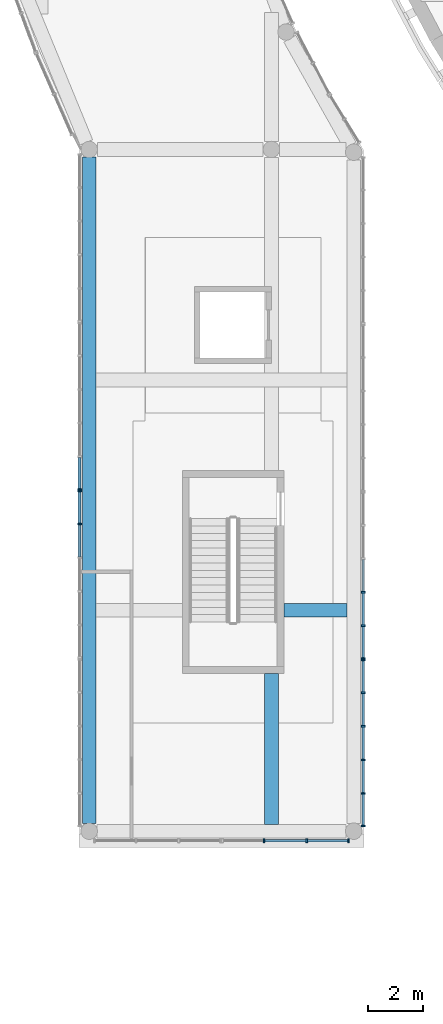
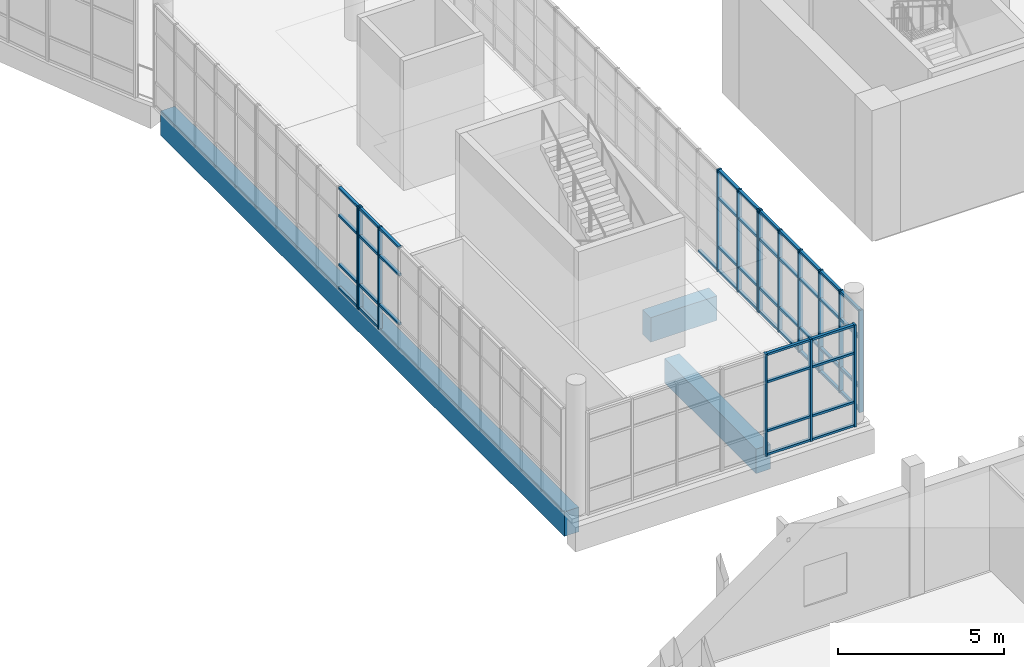
# One storey, part 6 of 119: 63 members, 3 beams, 5 elements without a shape of their own.
"""IFC4 building model written with IfcOpenShell, lengths in metres."""

from ifc_helpers import new_model, si_unit, direction, frame, origin, origin_2d, place, context, subcontext, project, spatial, rectangle, extrude, material, layer, layer_set, material_profile, profile_set, type_object, element, aggregate, save


model = new_model("IFC4")

# Units and contexts
model_context = context("Model", 3, precision=1e-05, world=origin(), true_north=direction((0.0, 1.0)))
body_context = subcontext(model_context, "Body", "Model", "MODEL_VIEW")
ifc_project = project(units=[si_unit("LENGTHUNIT", "METRE"), si_unit("AREAUNIT", "SQUARE_METRE"), si_unit("VOLUMEUNIT", "CUBIC_METRE"), si_unit("PLANEANGLEUNIT", "RADIAN"), si_unit("MASSUNIT", "GRAM", prefix="KILO")], contexts=[model_context])

# Site, building, storey
site_placement = place(None, origin())
site = spatial("IfcSite", under=ifc_project, at=site_placement, CompositionType="ELEMENT")
building_placement = place(site_placement, origin())
building = spatial("IfcBuilding", under=site, at=building_placement, Name="Larchfold Concert Hall", CompositionType="ELEMENT")
storey_placement = place(building_placement, frame((0.0, 0.0, 4.800048828125)))
storey = spatial("IfcBuildingStorey", under=building, at=storey_placement, Name="L01", CompositionType="ELEMENT", Elevation=4.800048828125)

# Curtain wall, member
ifc_material_1 = material(Name="Anodised graphite aluminium curtain wall", Category="aluminium")
ifc_layer = layer(ifc_material_1, 0.14990234375)
ifc_layer_set = layer_set([ifc_layer], Name="Anodised graphite aluminium curtain wall")
curtain_wall_type = type_object("IfcCurtainWallType", Name="Curtain wall WG", PredefinedType="NOTDEFINED", material=ifc_layer_set)
curtain_wall_1_placement = place(storey_placement, origin())
curtain_wall_1 = element("IfcCurtainWall", 1, at=curtain_wall_1_placement, inside=storey, type_object=curtain_wall_type, Name="Curtain wall CW0205", PredefinedType="NOTDEFINED")
ifc_material_2 = material(Name="Anodised graphite aluminium mullion", Category="aluminium")
ifc_material_profile_1 = material_profile(ifc_material_2, rectangle(XDim=0.14990234375, YDim=0.06005859375, at=origin_2d()))
ifc_profile_set_1 = profile_set([ifc_material_profile_1], Name="Anodised graphite aluminium mullion")
member_type_1 = type_object("IfcMemberType", Name="Aluminium mullion 60x150", PredefinedType="MULLION", material=ifc_profile_set_1)
member_1_placement = place(storey_placement, frame((10.408447265625, 47.005126953125, 0.0), z_axis=(0.0, 0.0, 1.0), x_axis=(1.0, 0.0, 0.0)))
member_1 = element("IfcMember", 2, at=member_1_placement, type_object=member_type_1, Name="CW0205 mullion 6", PredefinedType="MULLION", context=body_context, shape_type="SweptSolid", body=[
    extrude(rectangle(XDim=0.14990234375, YDim=0.06005859375, at=origin_2d()), origin(), (0.0, 0.0, 1.0), 3.75),
])

# Curtain wall, members
curtain_wall_2_placement = place(storey_placement, origin())
curtain_wall_2 = element("IfcCurtainWall", 3, at=curtain_wall_2_placement, inside=storey, type_object=curtain_wall_type, Name="Curtain wall CW0206", PredefinedType="NOTDEFINED")
member_2_placement = place(storey_placement, frame((10.408447265625, 46.945068359375, 0.0), z_axis=(0.0, 0.0, 1.0), x_axis=(1.0, 0.0, 0.0)))
member_2 = element("IfcMember", 4, at=member_2_placement, type_object=member_type_1, Name="CW0206 mullion 1", PredefinedType="MULLION", context=body_context, shape_type="SweptSolid", body=[
    extrude(rectangle(XDim=0.14990234375, YDim=0.06005859375, at=origin_2d()), origin(), (0.0, 0.0, 1.0), 3.75),
])
member_3_placement = place(storey_placement, frame((10.408447265625, 45.74853515625, 0.0), z_axis=(0.0, 0.0, 1.0), x_axis=(1.0, 0.0, 0.0)))
member_3 = element("IfcMember", 5, at=member_3_placement, type_object=member_type_1, Name="CW0206 mullion 2", PredefinedType="MULLION", context=body_context, shape_type="SweptSolid", body=[
    extrude(rectangle(XDim=0.14990234375, YDim=0.06005859375, at=origin_2d()), origin(), (0.0, 0.0, 1.0), 3.75),
])

curtain_wall_3_placement = place(storey_placement, origin())
curtain_wall_3 = element("IfcCurtainWall", 6, at=curtain_wall_3_placement, inside=storey, type_object=curtain_wall_type, Name="Curtain wall CW0209", PredefinedType="NOTDEFINED")
member_4_placement = place(storey_placement, frame((17.1328125, 34.199951171875, 0.0), z_axis=(0.0, 0.0, 1.0), x_axis=(0.0, 1.0, 0.0)))
member_4 = element("IfcMember", 7, at=member_4_placement, type_object=member_type_1, Name="CW0209 mullion 2", PredefinedType="MULLION", context=body_context, shape_type="SweptSolid", body=[
    extrude(rectangle(XDim=0.14990234375, YDim=0.06005859375, at=origin_2d()), origin(), (0.0, 0.0, 1.0), 3.75),
])
member_5_placement = place(storey_placement, frame((18.687255859375, 34.199951171875, 0.0), z_axis=(0.0, 0.0, 1.0), x_axis=(0.0, 1.0, 0.0)))
member_5 = element("IfcMember", 8, at=member_5_placement, type_object=member_type_1, Name="CW0209 mullion 3", PredefinedType="MULLION", context=body_context, shape_type="SweptSolid", body=[
    extrude(rectangle(XDim=0.14990234375, YDim=0.06005859375, at=origin_2d()), origin(), (0.0, 0.0, 1.0), 3.75),
])
member_6_placement = place(storey_placement, frame((20.21142578125, 34.199951171875, 0.0), z_axis=(0.0, 0.0, 1.0), x_axis=(0.0, 1.0, 0.0)))
member_6 = element("IfcMember", 9, at=member_6_placement, type_object=member_type_1, Name="CW0209 mullion 4", PredefinedType="MULLION", context=body_context, shape_type="SweptSolid", body=[
    extrude(rectangle(XDim=0.14990234375, YDim=0.06005859375, at=origin_2d()), origin(), (0.0, 0.0, 1.0), 3.75),
])

curtain_wall_4_placement = place(storey_placement, origin())
curtain_wall_4 = element("IfcCurtainWall", 10, at=curtain_wall_4_placement, inside=storey, type_object=curtain_wall_type, Name="Curtain wall CW0210", PredefinedType="NOTDEFINED")
member_7_placement = place(storey_placement, frame((20.748779296875, 34.738037109375, 0.0), z_axis=(0.0, 0.0, 1.0), x_axis=(-1.0, 0.0, 0.0)))
member_7 = element("IfcMember", 11, at=member_7_placement, type_object=member_type_1, Name="CW0210 mullion 1", PredefinedType="MULLION", context=body_context, shape_type="SweptSolid", body=[
    extrude(rectangle(XDim=0.14990234375, YDim=0.06005859375, at=origin_2d()), origin(), (0.0, 0.0, 1.0), 3.75),
])
member_8_placement = place(storey_placement, frame((20.748779296875, 35.9296875, 0.0), z_axis=(0.0, 0.0, 1.0), x_axis=(-1.0, 0.0, 0.0)))
member_8 = element("IfcMember", 12, at=member_8_placement, type_object=member_type_1, Name="CW0210 mullion 2", PredefinedType="MULLION", context=body_context, shape_type="SweptSolid", body=[
    extrude(rectangle(XDim=0.14990234375, YDim=0.06005859375, at=origin_2d()), origin(), (0.0, 0.0, 1.0), 3.75),
])
member_9_placement = place(storey_placement, frame((20.748779296875, 37.151611328125, 0.0), z_axis=(0.0, 0.0, 1.0), x_axis=(-1.0, 0.0, 0.0)))
member_9 = element("IfcMember", 13, at=member_9_placement, type_object=member_type_1, Name="CW0210 mullion 3", PredefinedType="MULLION", context=body_context, shape_type="SweptSolid", body=[
    extrude(rectangle(XDim=0.14990234375, YDim=0.06005859375, at=origin_2d()), origin(), (0.0, 0.0, 1.0), 3.75),
])
member_10_placement = place(storey_placement, frame((20.748779296875, 38.373291015625, 0.0), z_axis=(0.0, 0.0, 1.0), x_axis=(-1.0, 0.0, 0.0)))
member_10 = element("IfcMember", 14, at=member_10_placement, type_object=member_type_1, Name="CW0210 mullion 4", PredefinedType="MULLION", context=body_context, shape_type="SweptSolid", body=[
    extrude(rectangle(XDim=0.14990234375, YDim=0.06005859375, at=origin_2d()), origin(), (0.0, 0.0, 1.0), 3.75),
])
member_11_placement = place(storey_placement, frame((20.748779296875, 39.59521484375, 0.0), z_axis=(0.0, 0.0, 1.0), x_axis=(-1.0, 0.0, 0.0)))
member_11 = element("IfcMember", 15, at=member_11_placement, type_object=member_type_1, Name="CW0210 mullion 5", PredefinedType="MULLION", context=body_context, shape_type="SweptSolid", body=[
    extrude(rectangle(XDim=0.14990234375, YDim=0.06005859375, at=origin_2d()), origin(), (0.0, 0.0, 1.0), 3.75),
])
member_12_placement = place(storey_placement, frame((20.748779296875, 40.786865234375, 0.0), z_axis=(0.0, 0.0, 1.0), x_axis=(-1.0, 0.0, 0.0)))
member_12 = element("IfcMember", 16, at=member_12_placement, type_object=member_type_1, Name="CW0210 mullion 6", PredefinedType="MULLION", context=body_context, shape_type="SweptSolid", body=[
    extrude(rectangle(XDim=0.14990234375, YDim=0.06005859375, at=origin_2d()), origin(), (0.0, 0.0, 1.0), 3.75),
])

curtain_wall_5_placement = place(storey_placement, origin())
curtain_wall_5 = element("IfcCurtainWall", 17, at=curtain_wall_5_placement, inside=storey, type_object=curtain_wall_type, Name="Curtain wall CW0211", PredefinedType="NOTDEFINED")
member_13_placement = place(storey_placement, frame((20.748779296875, 40.846923828125, 0.0), z_axis=(0.0, 0.0, 1.0), x_axis=(-1.0, 0.0, 0.0)))
member_13 = element("IfcMember", 18, at=member_13_placement, type_object=member_type_1, Name="CW0211 mullion 1", PredefinedType="MULLION", context=body_context, shape_type="SweptSolid", body=[
    extrude(rectangle(XDim=0.14990234375, YDim=0.06005859375, at=origin_2d()), origin(), (0.0, 0.0, 1.0), 3.75),
])
member_14_placement = place(storey_placement, frame((20.748779296875, 42.03857421875, 0.0), z_axis=(0.0, 0.0, 1.0), x_axis=(-1.0, 0.0, 0.0)))
member_14 = element("IfcMember", 19, at=member_14_placement, type_object=member_type_1, Name="CW0211 mullion 2", PredefinedType="MULLION", context=body_context, shape_type="SweptSolid", body=[
    extrude(rectangle(XDim=0.14990234375, YDim=0.06005859375, at=origin_2d()), origin(), (0.0, 0.0, 1.0), 3.75),
])
member_15_placement = place(storey_placement, frame((20.748779296875, 43.26025390625, 0.0), z_axis=(0.0, 0.0, 1.0), x_axis=(-1.0, 0.0, 0.0)))
member_15 = element("IfcMember", 20, at=member_15_placement, type_object=member_type_1, Name="CW0211 mullion 3", PredefinedType="MULLION", context=body_context, shape_type="SweptSolid", body=[
    extrude(rectangle(XDim=0.14990234375, YDim=0.06005859375, at=origin_2d()), origin(), (0.0, 0.0, 1.0), 3.75),
])

# Member
ifc_material_3 = material(Name="Anodised graphite aluminium transom", Category="aluminium")
ifc_material_profile_2 = material_profile(ifc_material_3, rectangle(XDim=0.10009765625, YDim=0.080078125, at=origin_2d()))
ifc_profile_set_2 = profile_set([ifc_material_profile_2], Name="Anodised graphite aluminium transom")
member_type_2 = type_object("IfcMemberType", Name="Aluminium transom 80x100", PredefinedType="USERDEFINED", material=ifc_profile_set_2)
member_16_placement = place(storey_placement, frame((10.408447265625, 48.171630859375, 0.0400390625), z_axis=(0.0, -1.0, 0.0), x_axis=(1.0, 0.0, 0.0)))
member_16 = element("IfcMember", 21, at=member_16_placement, type_object=member_type_2, Name="CW0205 transom 5.1", ObjectType="TRANSOM", PredefinedType="USERDEFINED", context=body_context, shape_type="SweptSolid", body=[
    extrude(rectangle(XDim=0.10009765625, YDim=0.080078125, at=origin_2d()), origin(), (0.0, 0.0, 1.0), 1.136474609375),
])

member_17_placement = place(storey_placement, frame((10.408447265625, 48.171630859375, 0.89990234375), z_axis=(0.0, -1.0, 0.0), x_axis=(1.0, 0.0, 0.0)))
member_17 = element("IfcMember", 22, at=member_17_placement, type_object=member_type_2, Name="CW0205 transom 5.2", ObjectType="TRANSOM", PredefinedType="USERDEFINED", context=body_context, shape_type="SweptSolid", body=[
    extrude(rectangle(XDim=0.10009765625, YDim=0.080078125, at=origin_2d()), origin(), (0.0, 0.0, 1.0), 1.136474609375),
])

member_18_placement = place(storey_placement, frame((10.408447265625, 48.171630859375, 2.699951171875), z_axis=(0.0, -1.0, 0.0), x_axis=(1.0, 0.0, 0.0)))
member_18 = element("IfcMember", 23, at=member_18_placement, type_object=member_type_2, Name="CW0205 transom 5.3", ObjectType="TRANSOM", PredefinedType="USERDEFINED", context=body_context, shape_type="SweptSolid", body=[
    extrude(rectangle(XDim=0.10009765625, YDim=0.080078125, at=origin_2d()), origin(), (0.0, 0.0, 1.0), 1.136474609375),
])

member_19_placement = place(storey_placement, frame((10.408447265625, 48.171630859375, 3.7099609375), z_axis=(0.0, -1.0, 0.0), x_axis=(1.0, 0.0, 0.0)))
member_19 = element("IfcMember", 24, at=member_19_placement, type_object=member_type_2, Name="CW0205 transom 5.4", ObjectType="TRANSOM", PredefinedType="USERDEFINED", context=body_context, shape_type="SweptSolid", body=[
    extrude(rectangle(XDim=0.10009765625, YDim=0.080078125, at=origin_2d()), origin(), (0.0, 0.0, 1.0), 1.136474609375),
])

aggregate(curtain_wall_1, [member_1, member_16, member_17, member_18, member_19])

member_20_placement = place(storey_placement, frame((10.408447265625, 46.9150390625, 0.0400390625), z_axis=(0.0, -1.0, 0.0), x_axis=(1.0, 0.0, 0.0)))
member_20 = element("IfcMember", 25, at=member_20_placement, type_object=member_type_2, Name="CW0206 transom 1.1", ObjectType="TRANSOM", PredefinedType="USERDEFINED", context=body_context, shape_type="SweptSolid", body=[
    extrude(rectangle(XDim=0.10009765625, YDim=0.080078125, at=origin_2d()), origin(), (0.0, 0.0, 1.0), 1.13671875),
])

member_21_placement = place(storey_placement, frame((10.408447265625, 46.9150390625, 0.89990234375), z_axis=(0.0, -1.0, 0.0), x_axis=(1.0, 0.0, 0.0)))
member_21 = element("IfcMember", 26, at=member_21_placement, type_object=member_type_2, Name="CW0206 transom 1.2", ObjectType="TRANSOM", PredefinedType="USERDEFINED", context=body_context, shape_type="SweptSolid", body=[
    extrude(rectangle(XDim=0.10009765625, YDim=0.080078125, at=origin_2d()), origin(), (0.0, 0.0, 1.0), 1.13671875),
])

member_22_placement = place(storey_placement, frame((10.408447265625, 46.9150390625, 2.699951171875), z_axis=(0.0, -1.0, 0.0), x_axis=(1.0, 0.0, 0.0)))
member_22 = element("IfcMember", 27, at=member_22_placement, type_object=member_type_2, Name="CW0206 transom 1.3", ObjectType="TRANSOM", PredefinedType="USERDEFINED", context=body_context, shape_type="SweptSolid", body=[
    extrude(rectangle(XDim=0.10009765625, YDim=0.080078125, at=origin_2d()), origin(), (0.0, 0.0, 1.0), 1.13671875),
])

member_23_placement = place(storey_placement, frame((10.408447265625, 46.9150390625, 3.7099609375), z_axis=(0.0, -1.0, 0.0), x_axis=(1.0, 0.0, 0.0)))
member_23 = element("IfcMember", 28, at=member_23_placement, type_object=member_type_2, Name="CW0206 transom 1.4", ObjectType="TRANSOM", PredefinedType="USERDEFINED", context=body_context, shape_type="SweptSolid", body=[
    extrude(rectangle(XDim=0.10009765625, YDim=0.080078125, at=origin_2d()), origin(), (0.0, 0.0, 1.0), 1.13671875),
])

member_24_placement = place(storey_placement, frame((10.408447265625, 45.718505859375, 0.89990234375), z_axis=(0.0, -1.0, 0.0), x_axis=(1.0, 0.0, 0.0)))
member_24 = element("IfcMember", 29, at=member_24_placement, type_object=member_type_2, Name="CW0206 transom 2.2", ObjectType="TRANSOM", PredefinedType="USERDEFINED", context=body_context, shape_type="SweptSolid", body=[
    extrude(rectangle(XDim=0.10009765625, YDim=0.080078125, at=origin_2d()), origin(), (0.0, 0.0, 1.0), 1.166748046875),
])

member_25_placement = place(storey_placement, frame((10.408447265625, 45.718505859375, 2.699951171875), z_axis=(0.0, -1.0, 0.0), x_axis=(1.0, 0.0, 0.0)))
member_25 = element("IfcMember", 30, at=member_25_placement, type_object=member_type_2, Name="CW0206 transom 2.3", ObjectType="TRANSOM", PredefinedType="USERDEFINED", context=body_context, shape_type="SweptSolid", body=[
    extrude(rectangle(XDim=0.10009765625, YDim=0.080078125, at=origin_2d()), origin(), (0.0, 0.0, 1.0), 1.166748046875),
])

member_26_placement = place(storey_placement, frame((10.408447265625, 45.718505859375, 3.7099609375), z_axis=(0.0, -1.0, 0.0), x_axis=(1.0, 0.0, 0.0)))
member_26 = element("IfcMember", 31, at=member_26_placement, type_object=member_type_2, Name="CW0206 transom 2.4", ObjectType="TRANSOM", PredefinedType="USERDEFINED", context=body_context, shape_type="SweptSolid", body=[
    extrude(rectangle(XDim=0.10009765625, YDim=0.080078125, at=origin_2d()), origin(), (0.0, 0.0, 1.0), 1.166748046875),
])

aggregate(curtain_wall_2, [member_2, member_3, member_20, member_21, member_22, member_23, member_24, member_25, member_26])

member_27_placement = place(storey_placement, frame((17.162841796875, 34.199951171875, 0.0400390625), z_axis=(1.0, 0.0, 0.0), x_axis=(0.0, 1.0, 0.0)))
member_27 = element("IfcMember", 32, at=member_27_placement, type_object=member_type_2, Name="CW0209 transom 2.1", ObjectType="TRANSOM", PredefinedType="USERDEFINED", context=body_context, shape_type="SweptSolid", body=[
    extrude(rectangle(XDim=0.10009765625, YDim=0.080078125, at=origin_2d()), origin(), (0.0, 0.0, 1.0), 1.494384765625),
])

member_28_placement = place(storey_placement, frame((17.162841796875, 34.199951171875, 0.89990234375), z_axis=(1.0, 0.0, 0.0), x_axis=(0.0, 1.0, 0.0)))
member_28 = element("IfcMember", 33, at=member_28_placement, type_object=member_type_2, Name="CW0209 transom 2.2", ObjectType="TRANSOM", PredefinedType="USERDEFINED", context=body_context, shape_type="SweptSolid", body=[
    extrude(rectangle(XDim=0.10009765625, YDim=0.080078125, at=origin_2d()), origin(), (0.0, 0.0, 1.0), 1.494384765625),
])

member_29_placement = place(storey_placement, frame((17.162841796875, 34.199951171875, 2.699951171875), z_axis=(1.0, 0.0, 0.0), x_axis=(0.0, 1.0, 0.0)))
member_29 = element("IfcMember", 34, at=member_29_placement, type_object=member_type_2, Name="CW0209 transom 2.3", ObjectType="TRANSOM", PredefinedType="USERDEFINED", context=body_context, shape_type="SweptSolid", body=[
    extrude(rectangle(XDim=0.10009765625, YDim=0.080078125, at=origin_2d()), origin(), (0.0, 0.0, 1.0), 1.494384765625),
])

member_30_placement = place(storey_placement, frame((17.162841796875, 34.199951171875, 3.7099609375), z_axis=(1.0, 0.0, 0.0), x_axis=(0.0, 1.0, 0.0)))
member_30 = element("IfcMember", 35, at=member_30_placement, type_object=member_type_2, Name="CW0209 transom 2.4", ObjectType="TRANSOM", PredefinedType="USERDEFINED", context=body_context, shape_type="SweptSolid", body=[
    extrude(rectangle(XDim=0.10009765625, YDim=0.080078125, at=origin_2d()), origin(), (0.0, 0.0, 1.0), 1.494384765625),
])

member_31_placement = place(storey_placement, frame((18.71728515625, 34.199951171875, 0.0400390625), z_axis=(1.0, 0.0, 0.0), x_axis=(0.0, 1.0, 0.0)))
member_31 = element("IfcMember", 36, at=member_31_placement, type_object=member_type_2, Name="CW0209 transom 3.1", ObjectType="TRANSOM", PredefinedType="USERDEFINED", context=body_context, shape_type="SweptSolid", body=[
    extrude(rectangle(XDim=0.10009765625, YDim=0.080078125, at=origin_2d()), origin(), (0.0, 0.0, 1.0), 1.464111328125),
])

member_32_placement = place(storey_placement, frame((18.71728515625, 34.199951171875, 0.89990234375), z_axis=(1.0, 0.0, 0.0), x_axis=(0.0, 1.0, 0.0)))
member_32 = element("IfcMember", 37, at=member_32_placement, type_object=member_type_2, Name="CW0209 transom 3.2", ObjectType="TRANSOM", PredefinedType="USERDEFINED", context=body_context, shape_type="SweptSolid", body=[
    extrude(rectangle(XDim=0.10009765625, YDim=0.080078125, at=origin_2d()), origin(), (0.0, 0.0, 1.0), 1.464111328125),
])

member_33_placement = place(storey_placement, frame((18.71728515625, 34.199951171875, 2.699951171875), z_axis=(1.0, 0.0, 0.0), x_axis=(0.0, 1.0, 0.0)))
member_33 = element("IfcMember", 38, at=member_33_placement, type_object=member_type_2, Name="CW0209 transom 3.3", ObjectType="TRANSOM", PredefinedType="USERDEFINED", context=body_context, shape_type="SweptSolid", body=[
    extrude(rectangle(XDim=0.10009765625, YDim=0.080078125, at=origin_2d()), origin(), (0.0, 0.0, 1.0), 1.464111328125),
])

member_34_placement = place(storey_placement, frame((18.71728515625, 34.199951171875, 3.7099609375), z_axis=(1.0, 0.0, 0.0), x_axis=(0.0, 1.0, 0.0)))
member_34 = element("IfcMember", 39, at=member_34_placement, type_object=member_type_2, Name="CW0209 transom 3.4", ObjectType="TRANSOM", PredefinedType="USERDEFINED", context=body_context, shape_type="SweptSolid", body=[
    extrude(rectangle(XDim=0.10009765625, YDim=0.080078125, at=origin_2d()), origin(), (0.0, 0.0, 1.0), 1.464111328125),
])

aggregate(curtain_wall_3, [member_4, member_5, member_6, member_27, member_28, member_29, member_30, member_31, member_32, member_33, member_34])

member_35_placement = place(storey_placement, frame((20.748779296875, 34.76806640625, 0.0400390625), z_axis=(0.0, 1.0, 0.0), x_axis=(-1.0, 0.0, 0.0)))
member_35 = element("IfcMember", 40, at=member_35_placement, type_object=member_type_2, Name="CW0210 transom 1.1", ObjectType="TRANSOM", PredefinedType="USERDEFINED", context=body_context, shape_type="SweptSolid", body=[
    extrude(rectangle(XDim=0.10009765625, YDim=0.080078125, at=origin_2d()), origin(), (0.0, 0.0, 1.0), 1.1318359375),
])

member_36_placement = place(storey_placement, frame((20.748779296875, 34.76806640625, 0.89990234375), z_axis=(0.0, 1.0, 0.0), x_axis=(-1.0, 0.0, 0.0)))
member_36 = element("IfcMember", 41, at=member_36_placement, type_object=member_type_2, Name="CW0210 transom 1.2", ObjectType="TRANSOM", PredefinedType="USERDEFINED", context=body_context, shape_type="SweptSolid", body=[
    extrude(rectangle(XDim=0.10009765625, YDim=0.080078125, at=origin_2d()), origin(), (0.0, 0.0, 1.0), 1.1318359375),
])

member_37_placement = place(storey_placement, frame((20.748779296875, 34.76806640625, 2.699951171875), z_axis=(0.0, 1.0, 0.0), x_axis=(-1.0, 0.0, 0.0)))
member_37 = element("IfcMember", 42, at=member_37_placement, type_object=member_type_2, Name="CW0210 transom 1.3", ObjectType="TRANSOM", PredefinedType="USERDEFINED", context=body_context, shape_type="SweptSolid", body=[
    extrude(rectangle(XDim=0.10009765625, YDim=0.080078125, at=origin_2d()), origin(), (0.0, 0.0, 1.0), 1.1318359375),
])

member_38_placement = place(storey_placement, frame((20.748779296875, 34.76806640625, 3.7099609375), z_axis=(0.0, 1.0, 0.0), x_axis=(-1.0, 0.0, 0.0)))
member_38 = element("IfcMember", 43, at=member_38_placement, type_object=member_type_2, Name="CW0210 transom 1.4", ObjectType="TRANSOM", PredefinedType="USERDEFINED", context=body_context, shape_type="SweptSolid", body=[
    extrude(rectangle(XDim=0.10009765625, YDim=0.080078125, at=origin_2d()), origin(), (0.0, 0.0, 1.0), 1.1318359375),
])

member_39_placement = place(storey_placement, frame((20.748779296875, 35.959716796875, 0.0400390625), z_axis=(0.0, 1.0, 0.0), x_axis=(-1.0, 0.0, 0.0)))
member_39 = element("IfcMember", 44, at=member_39_placement, type_object=member_type_2, Name="CW0210 transom 2.1", ObjectType="TRANSOM", PredefinedType="USERDEFINED", context=body_context, shape_type="SweptSolid", body=[
    extrude(rectangle(XDim=0.10009765625, YDim=0.080078125, at=origin_2d()), origin(), (0.0, 0.0, 1.0), 1.161865234375),
])

member_40_placement = place(storey_placement, frame((20.748779296875, 35.959716796875, 0.89990234375), z_axis=(0.0, 1.0, 0.0), x_axis=(-1.0, 0.0, 0.0)))
member_40 = element("IfcMember", 45, at=member_40_placement, type_object=member_type_2, Name="CW0210 transom 2.2", ObjectType="TRANSOM", PredefinedType="USERDEFINED", context=body_context, shape_type="SweptSolid", body=[
    extrude(rectangle(XDim=0.10009765625, YDim=0.080078125, at=origin_2d()), origin(), (0.0, 0.0, 1.0), 1.161865234375),
])

member_41_placement = place(storey_placement, frame((20.748779296875, 35.959716796875, 2.699951171875), z_axis=(0.0, 1.0, 0.0), x_axis=(-1.0, 0.0, 0.0)))
member_41 = element("IfcMember", 46, at=member_41_placement, type_object=member_type_2, Name="CW0210 transom 2.3", ObjectType="TRANSOM", PredefinedType="USERDEFINED", context=body_context, shape_type="SweptSolid", body=[
    extrude(rectangle(XDim=0.10009765625, YDim=0.080078125, at=origin_2d()), origin(), (0.0, 0.0, 1.0), 1.161865234375),
])

member_42_placement = place(storey_placement, frame((20.748779296875, 35.959716796875, 3.7099609375), z_axis=(0.0, 1.0, 0.0), x_axis=(-1.0, 0.0, 0.0)))
member_42 = element("IfcMember", 47, at=member_42_placement, type_object=member_type_2, Name="CW0210 transom 2.4", ObjectType="TRANSOM", PredefinedType="USERDEFINED", context=body_context, shape_type="SweptSolid", body=[
    extrude(rectangle(XDim=0.10009765625, YDim=0.080078125, at=origin_2d()), origin(), (0.0, 0.0, 1.0), 1.161865234375),
])

member_43_placement = place(storey_placement, frame((20.748779296875, 37.181640625, 0.0400390625), z_axis=(0.0, 1.0, 0.0), x_axis=(-1.0, 0.0, 0.0)))
member_43 = element("IfcMember", 48, at=member_43_placement, type_object=member_type_2, Name="CW0210 transom 3.1", ObjectType="TRANSOM", PredefinedType="USERDEFINED", context=body_context, shape_type="SweptSolid", body=[
    extrude(rectangle(XDim=0.10009765625, YDim=0.080078125, at=origin_2d()), origin(), (0.0, 0.0, 1.0), 1.16162109375),
])

member_44_placement = place(storey_placement, frame((20.748779296875, 37.181640625, 0.89990234375), z_axis=(0.0, 1.0, 0.0), x_axis=(-1.0, 0.0, 0.0)))
member_44 = element("IfcMember", 49, at=member_44_placement, type_object=member_type_2, Name="CW0210 transom 3.2", ObjectType="TRANSOM", PredefinedType="USERDEFINED", context=body_context, shape_type="SweptSolid", body=[
    extrude(rectangle(XDim=0.10009765625, YDim=0.080078125, at=origin_2d()), origin(), (0.0, 0.0, 1.0), 1.16162109375),
])

member_45_placement = place(storey_placement, frame((20.748779296875, 37.181640625, 2.699951171875), z_axis=(0.0, 1.0, 0.0), x_axis=(-1.0, 0.0, 0.0)))
member_45 = element("IfcMember", 50, at=member_45_placement, type_object=member_type_2, Name="CW0210 transom 3.3", ObjectType="TRANSOM", PredefinedType="USERDEFINED", context=body_context, shape_type="SweptSolid", body=[
    extrude(rectangle(XDim=0.10009765625, YDim=0.080078125, at=origin_2d()), origin(), (0.0, 0.0, 1.0), 1.16162109375),
])

member_46_placement = place(storey_placement, frame((20.748779296875, 37.181640625, 3.7099609375), z_axis=(0.0, 1.0, 0.0), x_axis=(-1.0, 0.0, 0.0)))
member_46 = element("IfcMember", 51, at=member_46_placement, type_object=member_type_2, Name="CW0210 transom 3.4", ObjectType="TRANSOM", PredefinedType="USERDEFINED", context=body_context, shape_type="SweptSolid", body=[
    extrude(rectangle(XDim=0.10009765625, YDim=0.080078125, at=origin_2d()), origin(), (0.0, 0.0, 1.0), 1.16162109375),
])

member_47_placement = place(storey_placement, frame((20.748779296875, 38.4033203125, 0.0400390625), z_axis=(0.0, 1.0, 0.0), x_axis=(-1.0, 0.0, 0.0)))
member_47 = element("IfcMember", 52, at=member_47_placement, type_object=member_type_2, Name="CW0210 transom 4.1", ObjectType="TRANSOM", PredefinedType="USERDEFINED", context=body_context, shape_type="SweptSolid", body=[
    extrude(rectangle(XDim=0.10009765625, YDim=0.080078125, at=origin_2d()), origin(), (0.0, 0.0, 1.0), 1.161865234375),
])

member_48_placement = place(storey_placement, frame((20.748779296875, 38.4033203125, 0.89990234375), z_axis=(0.0, 1.0, 0.0), x_axis=(-1.0, 0.0, 0.0)))
member_48 = element("IfcMember", 53, at=member_48_placement, type_object=member_type_2, Name="CW0210 transom 4.2", ObjectType="TRANSOM", PredefinedType="USERDEFINED", context=body_context, shape_type="SweptSolid", body=[
    extrude(rectangle(XDim=0.10009765625, YDim=0.080078125, at=origin_2d()), origin(), (0.0, 0.0, 1.0), 1.161865234375),
])

member_49_placement = place(storey_placement, frame((20.748779296875, 38.4033203125, 2.699951171875), z_axis=(0.0, 1.0, 0.0), x_axis=(-1.0, 0.0, 0.0)))
member_49 = element("IfcMember", 54, at=member_49_placement, type_object=member_type_2, Name="CW0210 transom 4.3", ObjectType="TRANSOM", PredefinedType="USERDEFINED", context=body_context, shape_type="SweptSolid", body=[
    extrude(rectangle(XDim=0.10009765625, YDim=0.080078125, at=origin_2d()), origin(), (0.0, 0.0, 1.0), 1.161865234375),
])

member_50_placement = place(storey_placement, frame((20.748779296875, 38.4033203125, 3.7099609375), z_axis=(0.0, 1.0, 0.0), x_axis=(-1.0, 0.0, 0.0)))
member_50 = element("IfcMember", 55, at=member_50_placement, type_object=member_type_2, Name="CW0210 transom 4.4", ObjectType="TRANSOM", PredefinedType="USERDEFINED", context=body_context, shape_type="SweptSolid", body=[
    extrude(rectangle(XDim=0.10009765625, YDim=0.080078125, at=origin_2d()), origin(), (0.0, 0.0, 1.0), 1.161865234375),
])

member_51_placement = place(storey_placement, frame((20.748779296875, 39.625, 0.0400390625), z_axis=(0.0, 1.0, 0.0), x_axis=(-1.0, 0.0, 0.0)))
member_51 = element("IfcMember", 56, at=member_51_placement, type_object=member_type_2, Name="CW0210 transom 5.1", ObjectType="TRANSOM", PredefinedType="USERDEFINED", context=body_context, shape_type="SweptSolid", body=[
    extrude(rectangle(XDim=0.10009765625, YDim=0.080078125, at=origin_2d()), origin(), (0.0, 0.0, 1.0), 1.1318359375),
])

member_52_placement = place(storey_placement, frame((20.748779296875, 39.625, 0.89990234375), z_axis=(0.0, 1.0, 0.0), x_axis=(-1.0, 0.0, 0.0)))
member_52 = element("IfcMember", 57, at=member_52_placement, type_object=member_type_2, Name="CW0210 transom 5.2", ObjectType="TRANSOM", PredefinedType="USERDEFINED", context=body_context, shape_type="SweptSolid", body=[
    extrude(rectangle(XDim=0.10009765625, YDim=0.080078125, at=origin_2d()), origin(), (0.0, 0.0, 1.0), 1.1318359375),
])

member_53_placement = place(storey_placement, frame((20.748779296875, 39.625, 2.699951171875), z_axis=(0.0, 1.0, 0.0), x_axis=(-1.0, 0.0, 0.0)))
member_53 = element("IfcMember", 58, at=member_53_placement, type_object=member_type_2, Name="CW0210 transom 5.3", ObjectType="TRANSOM", PredefinedType="USERDEFINED", context=body_context, shape_type="SweptSolid", body=[
    extrude(rectangle(XDim=0.10009765625, YDim=0.080078125, at=origin_2d()), origin(), (0.0, 0.0, 1.0), 1.1318359375),
])

member_54_placement = place(storey_placement, frame((20.748779296875, 39.625, 3.7099609375), z_axis=(0.0, 1.0, 0.0), x_axis=(-1.0, 0.0, 0.0)))
member_54 = element("IfcMember", 59, at=member_54_placement, type_object=member_type_2, Name="CW0210 transom 5.4", ObjectType="TRANSOM", PredefinedType="USERDEFINED", context=body_context, shape_type="SweptSolid", body=[
    extrude(rectangle(XDim=0.10009765625, YDim=0.080078125, at=origin_2d()), origin(), (0.0, 0.0, 1.0), 1.1318359375),
])

aggregate(curtain_wall_4, [member_7, member_8, member_9, member_10, member_11, member_12, member_35, member_36, member_37, member_38, member_39, member_40, member_41, member_42, member_43, member_44, member_45, member_46, member_47, member_48, member_49, member_50, member_51, member_52, member_53, member_54])

member_55_placement = place(storey_placement, frame((20.748779296875, 40.876953125, 0.0400390625), z_axis=(0.0, 1.0, 0.0), x_axis=(-1.0, 0.0, 0.0)))
member_55 = element("IfcMember", 60, at=member_55_placement, type_object=member_type_2, Name="CW0211 transom 1.1", ObjectType="TRANSOM", PredefinedType="USERDEFINED", context=body_context, shape_type="SweptSolid", body=[
    extrude(rectangle(XDim=0.10009765625, YDim=0.080078125, at=origin_2d()), origin(), (0.0, 0.0, 1.0), 1.131591796875),
])

member_56_placement = place(storey_placement, frame((20.748779296875, 40.876953125, 0.89990234375), z_axis=(0.0, 1.0, 0.0), x_axis=(-1.0, 0.0, 0.0)))
member_56 = element("IfcMember", 61, at=member_56_placement, type_object=member_type_2, Name="CW0211 transom 1.2", ObjectType="TRANSOM", PredefinedType="USERDEFINED", context=body_context, shape_type="SweptSolid", body=[
    extrude(rectangle(XDim=0.10009765625, YDim=0.080078125, at=origin_2d()), origin(), (0.0, 0.0, 1.0), 1.131591796875),
])

member_57_placement = place(storey_placement, frame((20.748779296875, 40.876953125, 2.699951171875), z_axis=(0.0, 1.0, 0.0), x_axis=(-1.0, 0.0, 0.0)))
member_57 = element("IfcMember", 62, at=member_57_placement, type_object=member_type_2, Name="CW0211 transom 1.3", ObjectType="TRANSOM", PredefinedType="USERDEFINED", context=body_context, shape_type="SweptSolid", body=[
    extrude(rectangle(XDim=0.10009765625, YDim=0.080078125, at=origin_2d()), origin(), (0.0, 0.0, 1.0), 1.131591796875),
])

member_58_placement = place(storey_placement, frame((20.748779296875, 40.876953125, 3.7099609375), z_axis=(0.0, 1.0, 0.0), x_axis=(-1.0, 0.0, 0.0)))
member_58 = element("IfcMember", 63, at=member_58_placement, type_object=member_type_2, Name="CW0211 transom 1.4", ObjectType="TRANSOM", PredefinedType="USERDEFINED", context=body_context, shape_type="SweptSolid", body=[
    extrude(rectangle(XDim=0.10009765625, YDim=0.080078125, at=origin_2d()), origin(), (0.0, 0.0, 1.0), 1.131591796875),
])

member_59_placement = place(storey_placement, frame((20.748779296875, 42.068603515625, 0.0400390625), z_axis=(0.0, 1.0, 0.0), x_axis=(-1.0, 0.0, 0.0)))
member_59 = element("IfcMember", 64, at=member_59_placement, type_object=member_type_2, Name="CW0211 transom 2.1", ObjectType="TRANSOM", PredefinedType="USERDEFINED", context=body_context, shape_type="SweptSolid", body=[
    extrude(rectangle(XDim=0.10009765625, YDim=0.080078125, at=origin_2d()), origin(), (0.0, 0.0, 1.0), 1.161865234375),
])

member_60_placement = place(storey_placement, frame((20.748779296875, 42.068603515625, 0.89990234375), z_axis=(0.0, 1.0, 0.0), x_axis=(-1.0, 0.0, 0.0)))
member_60 = element("IfcMember", 65, at=member_60_placement, type_object=member_type_2, Name="CW0211 transom 2.2", ObjectType="TRANSOM", PredefinedType="USERDEFINED", context=body_context, shape_type="SweptSolid", body=[
    extrude(rectangle(XDim=0.10009765625, YDim=0.080078125, at=origin_2d()), origin(), (0.0, 0.0, 1.0), 1.161865234375),
])

member_61_placement = place(storey_placement, frame((20.748779296875, 42.068603515625, 2.699951171875), z_axis=(0.0, 1.0, 0.0), x_axis=(-1.0, 0.0, 0.0)))
member_61 = element("IfcMember", 66, at=member_61_placement, type_object=member_type_2, Name="CW0211 transom 2.3", ObjectType="TRANSOM", PredefinedType="USERDEFINED", context=body_context, shape_type="SweptSolid", body=[
    extrude(rectangle(XDim=0.10009765625, YDim=0.080078125, at=origin_2d()), origin(), (0.0, 0.0, 1.0), 1.161865234375),
])

member_62_placement = place(storey_placement, frame((20.748779296875, 42.068603515625, 3.7099609375), z_axis=(0.0, 1.0, 0.0), x_axis=(-1.0, 0.0, 0.0)))
member_62 = element("IfcMember", 67, at=member_62_placement, type_object=member_type_2, Name="CW0211 transom 2.4", ObjectType="TRANSOM", PredefinedType="USERDEFINED", context=body_context, shape_type="SweptSolid", body=[
    extrude(rectangle(XDim=0.10009765625, YDim=0.080078125, at=origin_2d()), origin(), (0.0, 0.0, 1.0), 1.161865234375),
])

member_63_placement = place(storey_placement, frame((20.748779296875, 43.290283203125, 0.0400390625), z_axis=(0.0, 1.0, 0.0), x_axis=(-1.0, 0.0, 0.0)))
member_63 = element("IfcMember", 68, at=member_63_placement, type_object=member_type_2, Name="CW0211 transom 3.1", ObjectType="TRANSOM", PredefinedType="USERDEFINED", context=body_context, shape_type="SweptSolid", body=[
    extrude(rectangle(XDim=0.10009765625, YDim=0.080078125, at=origin_2d()), origin(), (0.0, 0.0, 1.0), 1.161865234375),
])

aggregate(curtain_wall_5, [member_13, member_14, member_15, member_55, member_56, member_57, member_58, member_59, member_60, member_61, member_62, member_63])

# Beams
ifc_material_4 = material(Name="Concrete C35/45", Category="concrete")
ifc_material_profile_3 = material_profile(ifc_material_4, rectangle(XDim=0.5, YDim=0.89990234375, at=origin_2d()))
ifc_profile_set_3 = profile_set([ifc_material_profile_3], Name="Concrete C35/45")
beam_type = type_object("IfcBeamType", Name="Beam RC 500x900", PredefinedType="BEAM", material=ifc_profile_set_3)
beam_1_placement = place(storey_placement, frame((10.758056640625, 34.830078125, -0.60009765625), z_axis=(0.0, 1.0, 0.0), x_axis=(-1.0, 0.0, 0.0)))
element("IfcBeam", 69, at=beam_1_placement, inside=storey, type_object=beam_type, Name="Beam B1868", PredefinedType="BEAM", context=body_context, shape_type="SweptSolid", body=[
    extrude(rectangle(XDim=0.5, YDim=0.89990234375, at=origin_2d()), origin(), (0.0, 0.0, 1.0), 24.2900390625),
])
beam_2_placement = place(storey_placement, frame((17.39990234375, 34.800048828125, -0.60009765625), z_axis=(0.0, 1.0, 0.0), x_axis=(-1.0, 0.0, 0.0)))
element("IfcBeam", 70, at=beam_2_placement, inside=storey, type_object=beam_type, Name="Beam B1896", PredefinedType="BEAM", context=body_context, shape_type="SweptSolid", body=[
    extrude(rectangle(XDim=0.5, YDim=0.89990234375, at=origin_2d()), origin(), (0.0, 0.0, 1.0), 5.5),
])
beam_3_placement = place(storey_placement, frame((17.85009765625, 42.60009765625, -0.60009765625), z_axis=(1.0, 0.0, 0.0), x_axis=(0.0, 1.0, 0.0)))
element("IfcBeam", 71, at=beam_3_placement, inside=storey, type_object=beam_type, Name="Beam B1915", PredefinedType="BEAM", context=body_context, shape_type="SweptSolid", body=[
    extrude(rectangle(XDim=0.5, YDim=0.89990234375, at=origin_2d()), origin(), (0.0, 0.0, 1.0), 2.298828125),
])

save(model, "model.ifc")
